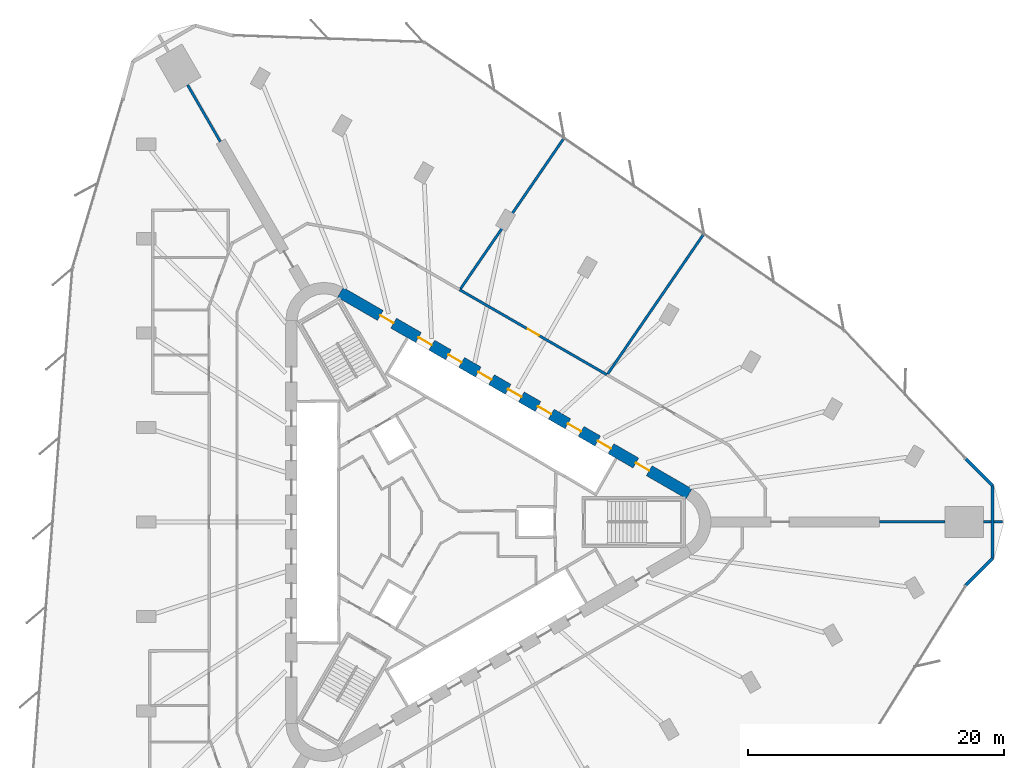
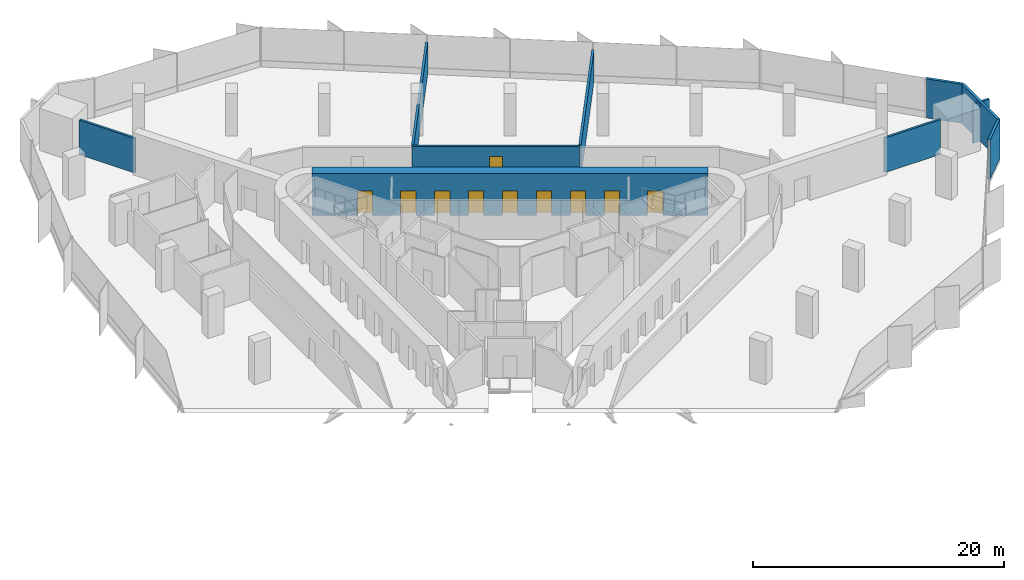
# One storey, part 13 of 15: 11 walls, 10 doors, 10 openings.
"""IFC4 building model written with IfcOpenShell, lengths in metres."""

from ifc_helpers import new_model, si_unit, direction, frame, frame_2d, origin, place, context, subcontext, project, spatial, rectangle, extrude, material, layer, layer_set, type_object, element, fill, save


model = new_model("IFC4")

# Units and contexts
model_context = context("Model", 3, precision=1e-05, world=origin(), true_north=direction((0.0, 1.0)))
body_context = subcontext(model_context, "Body", "Model", "MODEL_VIEW")
ifc_project = project(units=[si_unit("LENGTHUNIT", "METRE"), si_unit("AREAUNIT", "SQUARE_METRE"), si_unit("VOLUMEUNIT", "CUBIC_METRE"), si_unit("PLANEANGLEUNIT", "RADIAN"), si_unit("MASSUNIT", "GRAM", prefix="KILO")], contexts=[model_context])

# Site, building, storey
site_placement = place(None, origin())
site = spatial("IfcSite", under=ifc_project, at=site_placement, CompositionType="ELEMENT")
building_placement = place(site_placement, origin())
building = spatial("IfcBuilding", under=site, at=building_placement, Name="Tanit Gate Tower", CompositionType="ELEMENT")
storey_placement = place(building_placement, frame((0.0, 0.0, 98.800048828125)))
storey = spatial("IfcBuildingStorey", under=building, at=storey_placement, Name="L20", CompositionType="ELEMENT", Elevation=98.800048828125)

# Wall, openings, doors
ifc_material_1 = material(Name="Concrete C60/75", Category="concrete")
ifc_layer_1 = layer(ifc_material_1, 0.89990234375)
ifc_layer_set_1 = layer_set([ifc_layer_1], Name="CORE WALL 900 C60/75")
wall_type_1 = type_object("IfcWallType", Name="CORE WALL 900 C60/75", PredefinedType="SHEAR", material=ifc_layer_set_1)
wall_1_placement = place(storey_placement, frame((19.47509765625, 2.20849609375, 0.0), z_axis=(0.0, 0.0, 1.0), x_axis=(-0.866028369851, 0.499994862586, 0.0)))
wall_1 = element("IfcWall", 1, at=wall_1_placement, inside=storey, type_object=wall_type_1, Name="CORE WALL", PredefinedType="SHEAR", context=body_context, shape_type="SweptSolid", body=[
    extrude(rectangle(XDim=31.523193359375, YDim=0.89990234375, at=frame_2d((15.76171875, 0.0))), origin(), (0.0, 0.0, 1.0), 4.099853515625),
])
opening_1_placement = place(wall_1_placement, frame((7.0615234375, 0.0, 0.0)))
opening_1 = element("IfcOpeningElement", 2, at=opening_1_placement, cuts=wall_1, Name="Opening LDLL8-S04", PredefinedType="OPENING", context=body_context, shape_type="SweptSolid", body=[
    extrude(rectangle(XDim=1.199951171875, YDim=2.39990234375, at=frame_2d((0.60009765625, 1.199951171875))), frame((0.0, 0.4599609375, 0.0), z_axis=(0.0, -1.0, 0.0), x_axis=(1.0, 0.0, 0.0)), (0.0, 0.0, 1.0), 0.919921875),
])
opening_2_placement = place(wall_1_placement, frame((9.76171875, 0.0, 0.0)))
opening_2 = element("IfcOpeningElement", 3, at=opening_2_placement, cuts=wall_1, Name="Opening LDLL9-S04", PredefinedType="OPENING", context=body_context, shape_type="SweptSolid", body=[
    extrude(rectangle(XDim=1.199951171875, YDim=2.39990234375, at=frame_2d((0.60009765625, 1.199951171875))), frame((0.0, 0.4599609375, 0.0), z_axis=(0.0, -1.0, 0.0), x_axis=(1.0, 0.0, 0.0)), (0.0, 0.0, 1.0), 0.919921875),
])
opening_3_placement = place(wall_1_placement, frame((12.461669921875, 0.0, 0.0)))
opening_3 = element("IfcOpeningElement", 4, at=opening_3_placement, cuts=wall_1, Name="Opening LDLL10-S04", PredefinedType="OPENING", context=body_context, shape_type="SweptSolid", body=[
    extrude(rectangle(XDim=1.199951171875, YDim=2.39990234375, at=frame_2d((0.60009765625, 1.199951171875))), frame((0.0, 0.4599609375, 0.0), z_axis=(0.0, -1.0, 0.0), x_axis=(1.0, 0.0, 0.0)), (0.0, 0.0, 1.0), 0.919921875),
])
opening_4_placement = place(wall_1_placement, frame((15.16162109375, 0.0, 0.0)))
opening_4 = element("IfcOpeningElement", 5, at=opening_4_placement, cuts=wall_1, Name="Opening LDSL1-S04", PredefinedType="OPENING", context=body_context, shape_type="SweptSolid", body=[
    extrude(rectangle(XDim=1.199951171875, YDim=2.39990234375, at=frame_2d((0.60009765625, 1.199951171875))), frame((0.0, 0.4599609375, 0.0), z_axis=(0.0, -1.0, 0.0), x_axis=(1.0, 0.0, 0.0)), (0.0, 0.0, 1.0), 0.919921875),
])
opening_5_placement = place(wall_1_placement, frame((17.861572265625, 0.0, 0.0)))
opening_5 = element("IfcOpeningElement", 6, at=opening_5_placement, cuts=wall_1, Name="Opening LDSL2-S04", PredefinedType="OPENING", context=body_context, shape_type="SweptSolid", body=[
    extrude(rectangle(XDim=1.199951171875, YDim=2.39990234375, at=frame_2d((0.60009765625, 1.199951171875))), frame((0.0, 0.4599609375, 0.0), z_axis=(0.0, -1.0, 0.0), x_axis=(1.0, 0.0, 0.0)), (0.0, 0.0, 1.0), 0.919921875),
])
opening_6_placement = place(wall_1_placement, frame((20.5615234375, 0.0, 0.0)))
opening_6 = element("IfcOpeningElement", 7, at=opening_6_placement, cuts=wall_1, Name="Opening LDSL3-S04", PredefinedType="OPENING", context=body_context, shape_type="SweptSolid", body=[
    extrude(rectangle(XDim=1.199951171875, YDim=2.39990234375, at=frame_2d((0.60009765625, 1.199951171875))), frame((0.0, 0.4599609375, 0.0), z_axis=(0.0, -1.0, 0.0), x_axis=(1.0, 0.0, 0.0)), (0.0, 0.0, 1.0), 0.919921875),
])
opening_7_placement = place(wall_1_placement, frame((23.26171875, 0.0, 0.0)))
opening_7 = element("IfcOpeningElement", 8, at=opening_7_placement, cuts=wall_1, Name="Opening LDSL4-S04", PredefinedType="OPENING", context=body_context, shape_type="SweptSolid", body=[
    extrude(rectangle(XDim=1.199951171875, YDim=2.39990234375, at=frame_2d((0.60009765625, 1.199951171875))), frame((0.0, 0.4599609375, 0.0), z_axis=(0.0, -1.0, 0.0), x_axis=(1.0, 0.0, 0.0)), (0.0, 0.0, 1.0), 0.919921875),
])
opening_8_placement = place(wall_1_placement, frame((3.611572265625, 0.0, 0.0)))
opening_8 = element("IfcOpeningElement", 9, at=opening_8_placement, cuts=wall_1, Name="Opening F12-S04-FL1", PredefinedType="OPENING", context=body_context, shape_type="SweptSolid", body=[
    extrude(rectangle(XDim=1.199951171875, YDim=2.39990234375, at=frame_2d((0.60009765625, 1.199951171875))), frame((0.0, 0.4599609375, 0.0), z_axis=(0.0, -1.0, 0.0), x_axis=(1.0, 0.0, 0.0)), (0.0, 0.0, 1.0), 0.919921875),
])
opening_9_placement = place(wall_1_placement, frame((26.711669921875, 0.0, 0.0)))
opening_9 = element("IfcOpeningElement", 10, at=opening_9_placement, cuts=wall_1, Name="Opening F12-S04-S2", PredefinedType="OPENING", context=body_context, shape_type="SweptSolid", body=[
    extrude(rectangle(XDim=1.199951171875, YDim=2.39990234375, at=frame_2d((0.60009765625, 1.199951171875))), frame((0.0, 0.4599609375, 0.0), z_axis=(0.0, -1.0, 0.0), x_axis=(1.0, 0.0, 0.0)), (0.0, 0.0, 1.0), 0.919921875),
])
ifc_material_2 = material(Name="Fire-rated steel door leaf", Category="steel")
door_type_1 = type_object("IfcDoorType", Name="INT-DOOR-FIRE-LOBBY-1200", OperationType="NOTDEFINED", PredefinedType="USERDEFINED", material=ifc_material_2)
door_1_placement = place(opening_8_placement, origin())
door_1 = element("IfcDoor", 11, at=door_1_placement, inside=storey, type_object=door_type_1, Name="Door F12-S04-FL1", ObjectType="FIRE DOOR", OperationType="SINGLE_SWING_RIGHT", OverallHeight=2.39990234375, OverallWidth=1.199951171875, PredefinedType="USERDEFINED", context=body_context, shape_type="SweptSolid", body=[
    extrude(rectangle(XDim=1.199951171875, YDim=2.39990234375, at=frame_2d((0.60009765625, 1.199951171875))), frame((0.0, 0.02490234375, 0.0), z_axis=(0.0, -1.0, 0.0), x_axis=(1.0, 0.0, 0.0)), (0.0, 0.0, 1.0), 0.050048828125),
])
fill(opening_8, door_1)
door_2_placement = place(opening_9_placement, origin())
door_2 = element("IfcDoor", 12, at=door_2_placement, inside=storey, type_object=door_type_1, Name="Door F12-S04-S2", ObjectType="FIRE DOOR", OperationType="SINGLE_SWING_RIGHT", OverallHeight=2.39990234375, OverallWidth=1.199951171875, PredefinedType="USERDEFINED", context=body_context, shape_type="SweptSolid", body=[
    extrude(rectangle(XDim=1.199951171875, YDim=2.39990234375, at=frame_2d((0.60009765625, 1.199951171875))), frame((0.0, 0.02490234375, 0.0), z_axis=(0.0, -1.0, 0.0), x_axis=(1.0, 0.0, 0.0)), (0.0, 0.0, 1.0), 0.050048828125),
])
fill(opening_9, door_2)
ifc_material_3 = material(Name="Stainless steel sliding door leaf", Category="steel")
door_type_2 = type_object("IfcDoorType", Name="INT-DOOR-LANDING-1200", OperationType="NOTDEFINED", PredefinedType="USERDEFINED", material=ifc_material_3)
door_3_placement = place(opening_1_placement, origin())
door_3 = element("IfcDoor", 13, at=door_3_placement, inside=storey, type_object=door_type_2, Name="Door LDLL8-S04", ObjectType="LANDING DOOR", OperationType="SLIDING_TO_LEFT", OverallHeight=2.39990234375, OverallWidth=1.199951171875, PredefinedType="USERDEFINED", context=body_context, shape_type="SweptSolid", body=[
    extrude(rectangle(XDim=1.199951171875, YDim=2.39990234375, at=frame_2d((0.60009765625, 1.199951171875))), frame((0.0, 0.02490234375, 0.0), z_axis=(0.0, -1.0, 0.0), x_axis=(1.0, 0.0, 0.0)), (0.0, 0.0, 1.0), 0.050048828125),
])
fill(opening_1, door_3)
door_4_placement = place(opening_2_placement, origin())
door_4 = element("IfcDoor", 14, at=door_4_placement, inside=storey, type_object=door_type_2, Name="Door LDLL9-S04", ObjectType="LANDING DOOR", OperationType="SLIDING_TO_LEFT", OverallHeight=2.39990234375, OverallWidth=1.199951171875, PredefinedType="USERDEFINED", context=body_context, shape_type="SweptSolid", body=[
    extrude(rectangle(XDim=1.199951171875, YDim=2.39990234375, at=frame_2d((0.60009765625, 1.199951171875))), frame((0.0, 0.02490234375, 0.0), z_axis=(0.0, -1.0, 0.0), x_axis=(1.0, 0.0, 0.0)), (0.0, 0.0, 1.0), 0.050048828125),
])
fill(opening_2, door_4)
door_5_placement = place(opening_3_placement, origin())
door_5 = element("IfcDoor", 15, at=door_5_placement, inside=storey, type_object=door_type_2, Name="Door LDLL10-S04", ObjectType="LANDING DOOR", OperationType="SLIDING_TO_LEFT", OverallHeight=2.39990234375, OverallWidth=1.199951171875, PredefinedType="USERDEFINED", context=body_context, shape_type="SweptSolid", body=[
    extrude(rectangle(XDim=1.199951171875, YDim=2.39990234375, at=frame_2d((0.60009765625, 1.199951171875))), frame((0.0, 0.02490234375, 0.0), z_axis=(0.0, -1.0, 0.0), x_axis=(1.0, 0.0, 0.0)), (0.0, 0.0, 1.0), 0.050048828125),
])
fill(opening_3, door_5)
door_6_placement = place(opening_4_placement, origin())
door_6 = element("IfcDoor", 16, at=door_6_placement, inside=storey, type_object=door_type_2, Name="Door LDSL1-S04", ObjectType="LANDING DOOR", OperationType="SLIDING_TO_LEFT", OverallHeight=2.39990234375, OverallWidth=1.199951171875, PredefinedType="USERDEFINED", context=body_context, shape_type="SweptSolid", body=[
    extrude(rectangle(XDim=1.199951171875, YDim=2.39990234375, at=frame_2d((0.60009765625, 1.199951171875))), frame((0.0, 0.02490234375, 0.0), z_axis=(0.0, -1.0, 0.0), x_axis=(1.0, 0.0, 0.0)), (0.0, 0.0, 1.0), 0.050048828125),
])
fill(opening_4, door_6)
door_7_placement = place(opening_5_placement, origin())
door_7 = element("IfcDoor", 17, at=door_7_placement, inside=storey, type_object=door_type_2, Name="Door LDSL2-S04", ObjectType="LANDING DOOR", OperationType="SLIDING_TO_LEFT", OverallHeight=2.39990234375, OverallWidth=1.199951171875, PredefinedType="USERDEFINED", context=body_context, shape_type="SweptSolid", body=[
    extrude(rectangle(XDim=1.199951171875, YDim=2.39990234375, at=frame_2d((0.60009765625, 1.199951171875))), frame((0.0, 0.02490234375, 0.0), z_axis=(0.0, -1.0, 0.0), x_axis=(1.0, 0.0, 0.0)), (0.0, 0.0, 1.0), 0.050048828125),
])
fill(opening_5, door_7)
door_8_placement = place(opening_6_placement, origin())
door_8 = element("IfcDoor", 18, at=door_8_placement, inside=storey, type_object=door_type_2, Name="Door LDSL3-S04", ObjectType="LANDING DOOR", OperationType="SLIDING_TO_LEFT", OverallHeight=2.39990234375, OverallWidth=1.199951171875, PredefinedType="USERDEFINED", context=body_context, shape_type="SweptSolid", body=[
    extrude(rectangle(XDim=1.199951171875, YDim=2.39990234375, at=frame_2d((0.60009765625, 1.199951171875))), frame((0.0, 0.02490234375, 0.0), z_axis=(0.0, -1.0, 0.0), x_axis=(1.0, 0.0, 0.0)), (0.0, 0.0, 1.0), 0.050048828125),
])
fill(opening_6, door_8)
door_9_placement = place(opening_7_placement, origin())
door_9 = element("IfcDoor", 19, at=door_9_placement, inside=storey, type_object=door_type_2, Name="Door LDSL4-S04", ObjectType="LANDING DOOR", OperationType="SLIDING_TO_LEFT", OverallHeight=2.39990234375, OverallWidth=1.199951171875, PredefinedType="USERDEFINED", context=body_context, shape_type="SweptSolid", body=[
    extrude(rectangle(XDim=1.199951171875, YDim=2.39990234375, at=frame_2d((0.60009765625, 1.199951171875))), frame((0.0, 0.02490234375, 0.0), z_axis=(0.0, -1.0, 0.0), x_axis=(1.0, 0.0, 0.0)), (0.0, 0.0, 1.0), 0.050048828125),
])
fill(opening_7, door_9)

# Walls
ifc_material_4 = material(Name="Concrete C30/37 with bronze anodised aluminium cladding", Category="concrete")
ifc_layer_2 = layer(ifc_material_4, 0.239990234375)
ifc_layer_set_2 = layer_set([ifc_layer_2], Name="Facade wall bronze clad 240")
wall_type_2 = type_object("IfcWallType", Name="Facade wall bronze clad 240", PredefinedType="SOLIDWALL", material=ifc_layer_set_2)
wall_2_placement = place(storey_placement, frame((41.11865234375, -4.9609375, 0.0), z_axis=(0.0, 0.0, 1.0), x_axis=(0.707106781187, 0.707106781187, 0.0)))
element("IfcWall", 20, at=wall_2_placement, inside=storey, type_object=wall_type_2, Name="Bronze-clad facade wall L20 E.arc1", PredefinedType="SOLIDWALL", context=body_context, shape_type="SweptSolid", body=[
    extrude(rectangle(XDim=2.99169921875, YDim=0.239990234375, at=frame_2d((1.495849609375, 0.0))), origin(), (0.0, 0.0, 1.0), 3.800048828125),
])
wall_3_placement = place(storey_placement, frame((43.234130859375, -2.845458984375, 0.0), z_axis=(0.0, 0.0, 1.0), x_axis=(0.0, 1.0, 0.0)))
element("IfcWall", 21, at=wall_3_placement, inside=storey, type_object=wall_type_2, Name="Bronze-clad facade wall L20 E.arc2", PredefinedType="SOLIDWALL", context=body_context, shape_type="SweptSolid", body=[
    extrude(rectangle(XDim=5.69091796875, YDim=0.239990234375, at=frame_2d((2.845458984375, 0.0))), origin(), (0.0, 0.0, 1.0), 3.800048828125),
])
wall_4_placement = place(storey_placement, frame((43.234130859375, 2.845458984375, 0.0), z_axis=(0.0, 0.0, 1.0), x_axis=(-0.707106781187, 0.707106781187, 0.0)))
element("IfcWall", 22, at=wall_4_placement, inside=storey, type_object=wall_type_2, Name="Bronze-clad facade wall L20 E.arc3", PredefinedType="SOLIDWALL", context=body_context, shape_type="SweptSolid", body=[
    extrude(rectangle(XDim=2.979736328125, YDim=0.239990234375, at=frame_2d((1.48974609375, 0.0))), origin(), (0.0, 0.0, 1.0), 3.800048828125),
])

# Wall, opening, door
ifc_material_5 = material(Name="Fire-rated gypsum board partition")
ifc_layer_3 = layer(ifc_material_5, 0.199951171875)
ifc_layer_set_3 = layer_set([ifc_layer_3], Name="INT-WALL-COMPARTMENT")
wall_type_3 = type_object("IfcWallType", Name="INT-WALL-COMPARTMENT", PredefinedType="PARTITIONING", material=ifc_layer_set_3)
wall_5_placement = place(storey_placement, frame((13.03076171875, 11.529296875, 0.0), z_axis=(0.0, 0.0, 1.0), x_axis=(-0.866023969537, 0.500002484181, 0.0)))
wall_5 = element("IfcWall", 23, at=wall_5_placement, inside=storey, type_object=wall_type_3, Name="Wall Compartment W106", PredefinedType="PARTITIONING", context=body_context, shape_type="SweptSolid", body=[
    extrude(rectangle(XDim=13.3076171875, YDim=0.199951171875, at=frame_2d((6.65380859375, 0.0))), origin(), (0.0, 0.0, 1.0), 3.079833984375),
])
opening_10_placement = place(wall_5_placement, frame((6.141845703125, 0.0, 0.0)))
opening_10 = element("IfcOpeningElement", 24, at=opening_10_placement, cuts=wall_5, Name="Opening F10-S04-27", PredefinedType="OPENING", context=body_context, shape_type="SweptSolid", body=[
    extrude(rectangle(XDim=1.0, YDim=2.10009765625, at=frame_2d((0.5, 1.050048828125))), frame((0.0, 0.10986328125, 0.0), z_axis=(0.0, -1.0, 0.0), x_axis=(1.0, 0.0, 0.0)), (0.0, 0.0, 1.0), 0.219970703125),
])
ifc_material_6 = material(Name="Fire-rated steel door leaf", Category="steel")
door_type_3 = type_object("IfcDoorType", Name="INT-DOOR-FIRE-1000", OperationType="NOTDEFINED", PredefinedType="USERDEFINED", material=ifc_material_6)
door_10_placement = place(opening_10_placement, origin())
door_10 = element("IfcDoor", 25, at=door_10_placement, inside=storey, type_object=door_type_3, Name="Door F10-S04-27", ObjectType="FIRE DOOR", OperationType="SINGLE_SWING_RIGHT", OverallHeight=2.10009765625, OverallWidth=1.0, PredefinedType="USERDEFINED", context=body_context, shape_type="SweptSolid", body=[
    extrude(rectangle(XDim=1.0, YDim=2.10009765625, at=frame_2d((0.5, 1.050048828125))), frame((0.0, 0.02490234375, 0.0), z_axis=(0.0, -1.0, 0.0), x_axis=(1.0, 0.0, 0.0)), (0.0, 0.0, 1.0), 0.050048828125),
])
fill(opening_10, door_10)

# Walls
wall_6_placement = place(storey_placement, frame((-17.221435546875, 29.768310546875, 0.0), z_axis=(0.0, 0.0, 1.0), x_axis=(-0.499998470576, 0.866026286796, 0.0)))
element("IfcWall", 26, at=wall_6_placement, inside=storey, type_object=wall_type_3, Name="Wall Compartment W117", PredefinedType="PARTITIONING", context=body_context, shape_type="SweptSolid", body=[
    extrude(rectangle(XDim=5.1298828125, YDim=0.199951171875, at=frame_2d((2.56494140625, 0.0))), origin(), (0.0, 0.0, 1.0), 3.369873046875),
])
wall_7_placement = place(storey_placement, frame((1.583740234375, 18.253662109375, 0.0), z_axis=(0.0, 0.0, 1.0), x_axis=(0.565874790915, 0.824491189163, 0.0)))
element("IfcWall", 27, at=wall_7_placement, inside=storey, type_object=wall_type_3, Name="Wall Compartment W136", PredefinedType="PARTITIONING", context=body_context, shape_type="SweptSolid", body=[
    extrude(rectangle(XDim=14.3095703125, YDim=0.199951171875, at=frame_2d((7.15478515625, 0.0))), origin(), (0.0, 0.0, 1.0), 3.079833984375),
])
wall_8_placement = place(storey_placement, frame((20.619873046875, 22.543701171875, 0.0), z_axis=(0.0, 0.0, 1.0), x_axis=(-0.565893246877, -0.824478521939, 0.0)))
element("IfcWall", 28, at=wall_8_placement, inside=storey, type_object=wall_type_3, Name="Wall Compartment W137", PredefinedType="PARTITIONING", context=body_context, shape_type="SweptSolid", body=[
    extrude(rectangle(XDim=13.273681640625, YDim=0.199951171875, at=frame_2d((6.63671875, 0.0))), origin(), (0.0, 0.0, 1.0), 3.079833984375),
])
wall_9_placement = place(storey_placement, frame((43.988525390625, 0.030029296875, 0.0), z_axis=(0.0, 0.0, 1.0), x_axis=(-1.0, 0.0, 0.0)))
element("IfcWall", 29, at=wall_9_placement, inside=storey, type_object=wall_type_3, Name="Wall Compartment W139", PredefinedType="PARTITIONING", context=body_context, shape_type="SweptSolid", body=[
    extrude(rectangle(XDim=0.634521484375, YDim=0.199951171875, at=frame_2d((0.3173828125, 0.0))), origin(), (0.0, 0.0, 1.0), 3.800048828125),
])
wall_10_placement = place(storey_placement, frame((43.114013671875, 0.030029296875, 0.0), z_axis=(0.0, 0.0, 1.0), x_axis=(-1.0, 0.0, 0.0)))
element("IfcWall", 30, at=wall_10_placement, inside=storey, type_object=wall_type_3, Name="Wall Compartment W139x1", PredefinedType="PARTITIONING", context=body_context, shape_type="SweptSolid", body=[
    extrude(rectangle(XDim=0.59326171875, YDim=0.199951171875, at=frame_2d((0.296630859375, 0.0))), origin(), (0.0, 0.0, 1.0), 3.800048828125),
])
wall_11_placement = place(storey_placement, frame((39.520751953125, 0.030029296875, 0.0), z_axis=(0.0, 0.0, 1.0), x_axis=(-1.0, 0.0, 0.0)))
element("IfcWall", 31, at=wall_11_placement, inside=storey, type_object=wall_type_3, Name="Wall Compartment W138", PredefinedType="PARTITIONING", context=body_context, shape_type="SweptSolid", body=[
    extrude(rectangle(XDim=5.1298828125, YDim=0.199951171875, at=frame_2d((2.56494140625, 0.0))), origin(), (0.0, 0.0, 1.0), 3.369873046875),
])

save(model, "model.ifc")
